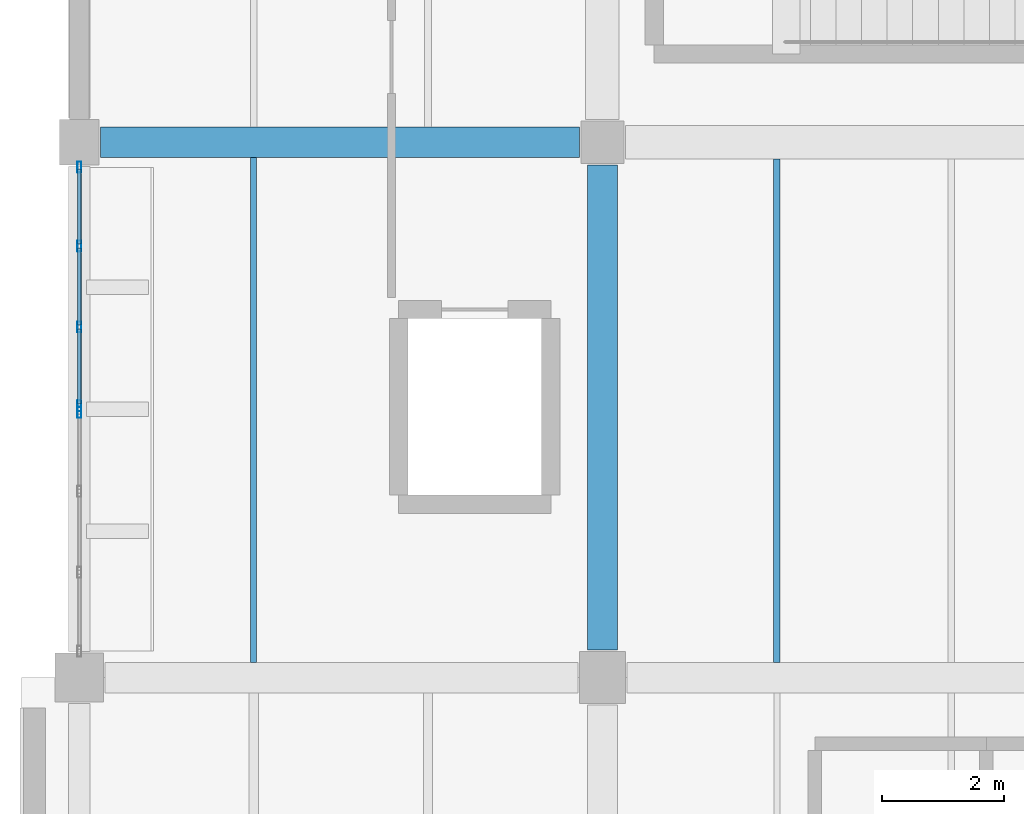
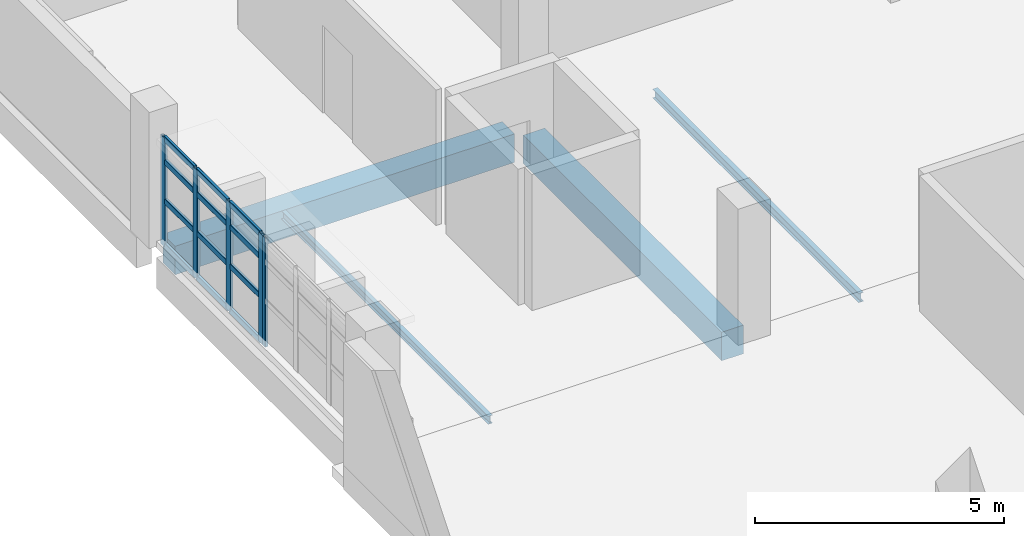
# One storey, part 12 of 75: 17 members, 4 beams, 2 elements without a shape of their own.
"""IFC4 building model written with IfcOpenShell, lengths in metres."""

from ifc_helpers import new_model, si_unit, direction, frame, origin, origin_2d, place, context, subcontext, project, spatial, rectangle, hollow_rectangle, i_section, extrude, material, material_profile, profile_set, type_object, element, aggregate, save


model = new_model("IFC4")

# Units and contexts
model_context = context("Model", 3, precision=1e-05, world=origin(), true_north=direction((0.0, 1.0)))
body_context = subcontext(model_context, "Body", "Model", "MODEL_VIEW")
ifc_project = project(units=[si_unit("LENGTHUNIT", "METRE"), si_unit("AREAUNIT", "SQUARE_METRE"), si_unit("VOLUMEUNIT", "CUBIC_METRE"), si_unit("PLANEANGLEUNIT", "RADIAN"), si_unit("MASSUNIT", "GRAM", prefix="KILO")], contexts=[model_context])

# Site, building, storey
site_placement = place(None, origin())
site = spatial("IfcSite", under=ifc_project, at=site_placement, CompositionType="ELEMENT")
building_placement = place(site_placement, origin())
building = spatial("IfcBuilding", under=site, at=building_placement, Name="Varnakota Cinema and Media Centre", CompositionType="ELEMENT")
storey_placement = place(building_placement, frame((0.0, 0.0, 8.39990234375)))
storey = spatial("IfcBuildingStorey", under=building, at=storey_placement, Name="L02", CompositionType="ELEMENT", Elevation=8.39990234375)

# Beams
ifc_material_1 = material(Name="Concrete M35", Category="concrete")
ifc_material_profile_1 = material_profile(ifc_material_1, rectangle(XDim=0.5, YDim=0.699951171875, at=origin_2d()), Name="RCB 500x700")
ifc_profile_set_1 = profile_set([ifc_material_profile_1], Name="Concrete M35")
beam_type_1 = type_object("IfcBeamType", Name="BM-RC-500x700", PredefinedType="BEAM", material=ifc_profile_set_1)
beam_1_placement = place(storey_placement, frame((0.35009765625, 44.0, -0.599853515625), z_axis=(1.0, 0.0, 0.0), x_axis=(0.0, 1.0, 0.0)))
element("IfcBeam", 1, at=beam_1_placement, inside=storey, type_object=beam_type_1, Name="L02 girder A-B/6", PredefinedType="BEAM", context=body_context, shape_type="SweptSolid", body=[
    extrude(rectangle(XDim=0.5, YDim=0.699951171875, at=origin_2d()), origin(), (0.0, 0.0, 1.0), 7.875),
])
beam_2_placement = place(storey_placement, frame((8.60009765625, 35.64990234375, -0.599853515625), z_axis=(0.0, 1.0, 0.0), x_axis=(-1.0, 0.0, 0.0)))
element("IfcBeam", 2, at=beam_2_placement, inside=storey, type_object=beam_type_1, Name="L02 girder B/5-6", PredefinedType="BEAM", context=body_context, shape_type="SweptSolid", body=[
    extrude(rectangle(XDim=0.5, YDim=0.699951171875, at=origin_2d()), origin(), (0.0, 0.0, 1.0), 7.97509765625),
])
ifc_material_2 = material(Name="Structural steel Grade 350 (E350)", Category="steel")
ifc_material_profile_2 = material_profile(ifc_material_2, i_section(OverallWidth=0.10009765625, OverallDepth=0.199951171875, WebThickness=0.005615234375, FlangeThickness=0.0107421875, FilletRadius=0.010986328125, at=origin_2d()), Name="ISMB 200")
ifc_profile_set_2 = profile_set([ifc_material_profile_2], Name="Structural steel Grade 350 (E350)")
beam_type_2 = type_object("IfcBeamType", Name="BM-ST-ISMB200", PredefinedType="JOIST", material=ifc_profile_set_2)
beam_3_placement = place(storey_placement, frame((2.86669921875, 35.449951171875, -0.349853515625), z_axis=(0.0, 1.0, 0.0), x_axis=(-1.0, 0.0, 0.0)))
element("IfcBeam", 3, at=beam_3_placement, inside=storey, type_object=beam_type_2, Name="L02 steel joist A-B/5-6 #1", PredefinedType="JOIST", context=body_context, shape_type="SweptSolid", body=[
    extrude(i_section(OverallWidth=0.10009765625, OverallDepth=0.199951171875, WebThickness=0.005615234375, FlangeThickness=0.0107421875, FilletRadius=0.010986328125, at=origin_2d()), origin(), (0.0, 0.0, 1.0), 8.300048828125),
])
ifc_material_3 = material(Name="Structural steel Grade 350 (E350)", Category="steel")
ifc_material_profile_3 = material_profile(ifc_material_3, i_section(OverallWidth=0.110107421875, OverallDepth=0.22509765625, WebThickness=0.006591796875, FlangeThickness=0.01171875, FilletRadius=0.011962890625, at=origin_2d()), Name="ISMB 225")
ifc_profile_set_3 = profile_set([ifc_material_profile_3], Name="Structural steel Grade 350 (E350)")
beam_type_3 = type_object("IfcBeamType", Name="BM-ST-ISMB225", PredefinedType="JOIST", material=ifc_profile_set_3)
beam_4_placement = place(storey_placement, frame((11.466796875, 35.449951171875, -0.3623046875), z_axis=(0.0, 1.0, 0.0), x_axis=(-1.0, 0.0, 0.0)))
element("IfcBeam", 4, at=beam_4_placement, inside=storey, type_object=beam_type_3, Name="L02 steel joist B-C/5-6 #1", PredefinedType="JOIST", context=body_context, shape_type="SweptSolid", body=[
    extrude(i_section(OverallWidth=0.110107421875, OverallDepth=0.22509765625, WebThickness=0.006591796875, FlangeThickness=0.01171875, FilletRadius=0.011962890625, at=origin_2d()), origin(), (0.0, 0.0, 1.0), 8.275146484375),
])

# Curtain wall, members
ifc_material_4 = material(Name="Thermally broken anodised aluminium AW-6063", Category="aluminium")
curtain_wall_type = type_object("IfcCurtainWallType", Name="CW-STD-399x268", PredefinedType="USERDEFINED", material=ifc_material_4)
curtain_wall_1_placement = place(storey_placement, origin())
curtain_wall_1 = element("IfcCurtainWall", 5, at=curtain_wall_1_placement, inside=storey, type_object=curtain_wall_type, Name="L02 curtain wall CW-L02-V5-W-05-1", ObjectType="UNITISED CURTAIN WALL", PredefinedType="USERDEFINED")
ifc_material_5 = material(Name="Thermally broken anodised aluminium AW-6063", Category="aluminium")
ifc_material_profile_4 = material_profile(ifc_material_5, hollow_rectangle(XDim=0.06494140625, YDim=0.179931640625, WallThickness=0.00390625, InnerFilletRadius=0.00390625, OuterFilletRadius=0.008056640625, at=origin_2d()), Name="AL-MULLION 180x65x4")
ifc_profile_set_4 = profile_set([ifc_material_profile_4], Name="Thermally broken anodised aluminium AW-6063")
member_type_1 = type_object("IfcMemberType", Name="CWM-AL-180", PredefinedType="MULLION", material=ifc_profile_set_4)
member_1_placement = place(storey_placement, frame((0.0, 43.592529296875, 0.0), z_axis=(0.0, 0.0, 1.0), x_axis=(1.0, 0.0, 0.0)))
member_1 = element("IfcMember", 6, at=member_1_placement, type_object=member_type_1, Name="CW40 mullion 1", PredefinedType="MULLION", context=body_context, shape_type="SweptSolid", body=[
    extrude(hollow_rectangle(XDim=0.06494140625, YDim=0.179931640625, WallThickness=0.00390625, InnerFilletRadius=0.00390625, OuterFilletRadius=0.008056640625, at=origin_2d()), origin(), (0.0, 0.0, 1.0), 2.675048828125),
])
member_2_placement = place(storey_placement, frame((0.0, 42.294189453125, 0.0), z_axis=(0.0, 0.0, 1.0), x_axis=(1.0, 0.0, 0.0)))
member_2 = element("IfcMember", 7, at=member_2_placement, type_object=member_type_1, Name="CW40 mullion 2", PredefinedType="MULLION", context=body_context, shape_type="SweptSolid", body=[
    extrude(hollow_rectangle(XDim=0.06494140625, YDim=0.179931640625, WallThickness=0.00390625, InnerFilletRadius=0.00390625, OuterFilletRadius=0.008056640625, at=origin_2d()), origin(), (0.0, 0.0, 1.0), 2.675048828125),
])
member_3_placement = place(storey_placement, frame((0.0, 40.96337890625, 0.0), z_axis=(0.0, 0.0, 1.0), x_axis=(1.0, 0.0, 0.0)))
member_3 = element("IfcMember", 8, at=member_3_placement, type_object=member_type_1, Name="CW40 mullion 3", PredefinedType="MULLION", context=body_context, shape_type="SweptSolid", body=[
    extrude(hollow_rectangle(XDim=0.06494140625, YDim=0.179931640625, WallThickness=0.00390625, InnerFilletRadius=0.00390625, OuterFilletRadius=0.008056640625, at=origin_2d()), origin(), (0.0, 0.0, 1.0), 2.675048828125),
])
member_4_placement = place(storey_placement, frame((0.0, 39.6650390625, 0.0), z_axis=(0.0, 0.0, 1.0), x_axis=(1.0, 0.0, 0.0)))
member_4 = element("IfcMember", 9, at=member_4_placement, type_object=member_type_1, Name="CW40 mullion 4", PredefinedType="MULLION", context=body_context, shape_type="SweptSolid", body=[
    extrude(hollow_rectangle(XDim=0.06494140625, YDim=0.179931640625, WallThickness=0.00390625, InnerFilletRadius=0.00390625, OuterFilletRadius=0.008056640625, at=origin_2d()), origin(), (0.0, 0.0, 1.0), 2.675048828125),
])

# Curtain wall, member
curtain_wall_2_placement = place(storey_placement, origin())
curtain_wall_2 = element("IfcCurtainWall", 10, at=curtain_wall_2_placement, inside=storey, type_object=curtain_wall_type, Name="L02 curtain wall CW-L02-V5-W-05-2", ObjectType="UNITISED CURTAIN WALL", PredefinedType="USERDEFINED")
member_5_placement = place(storey_placement, frame((0.0, 39.56005859375, 0.0), z_axis=(0.0, 0.0, 1.0), x_axis=(1.0, 0.0, 0.0)))
member_5 = element("IfcMember", 11, at=member_5_placement, type_object=member_type_1, Name="CW40 mullion 1", PredefinedType="MULLION", context=body_context, shape_type="SweptSolid", body=[
    extrude(hollow_rectangle(XDim=0.06494140625, YDim=0.179931640625, WallThickness=0.00390625, InnerFilletRadius=0.00390625, OuterFilletRadius=0.008056640625, at=origin_2d()), origin(), (0.0, 0.0, 1.0), 2.675048828125),
])
aggregate(curtain_wall_2, [member_5])

# Member
ifc_material_6 = material(Name="Thermally broken anodised aluminium AW-6063", Category="aluminium")
ifc_material_profile_5 = material_profile(ifc_material_6, hollow_rectangle(XDim=0.06494140625, YDim=0.139892578125, WallThickness=0.00390625, InnerFilletRadius=0.00390625, OuterFilletRadius=0.008056640625, at=origin_2d()), Name="AL-TRANSOM 140x65x4")
ifc_profile_set_5 = profile_set([ifc_material_profile_5], Name="Thermally broken anodised aluminium AW-6063")
member_type_2 = type_object("IfcMemberType", Name="CWT-AL-140", PredefinedType="USERDEFINED", material=ifc_profile_set_5)
member_6_placement = place(storey_placement, frame((0.0, 43.56005859375, 0.03271484375), z_axis=(0.0, -1.0, 0.0), x_axis=(1.0, 0.0, 0.0)))
member_6 = element("IfcMember", 12, at=member_6_placement, type_object=member_type_2, Name="CW40 transom 1.1", ObjectType="TRANSOM", PredefinedType="USERDEFINED", context=body_context, shape_type="SweptSolid", body=[
    extrude(hollow_rectangle(XDim=0.06494140625, YDim=0.139892578125, WallThickness=0.00390625, InnerFilletRadius=0.00390625, OuterFilletRadius=0.008056640625, at=origin_2d()), origin(), (0.0, 0.0, 1.0), 1.2333984375),
])

member_7_placement = place(storey_placement, frame((0.0, 43.56005859375, 1.12353515625), z_axis=(0.0, -1.0, 0.0), x_axis=(1.0, 0.0, 0.0)))
member_7 = element("IfcMember", 13, at=member_7_placement, type_object=member_type_2, Name="CW40 transom 1.2", ObjectType="TRANSOM", PredefinedType="USERDEFINED", context=body_context, shape_type="SweptSolid", body=[
    extrude(hollow_rectangle(XDim=0.06494140625, YDim=0.139892578125, WallThickness=0.00390625, InnerFilletRadius=0.00390625, OuterFilletRadius=0.008056640625, at=origin_2d()), origin(), (0.0, 0.0, 1.0), 1.2333984375),
])

member_8_placement = place(storey_placement, frame((0.0, 43.56005859375, 2.086669921875), z_axis=(0.0, -1.0, 0.0), x_axis=(1.0, 0.0, 0.0)))
member_8 = element("IfcMember", 14, at=member_8_placement, type_object=member_type_2, Name="CW40 transom 1.3", ObjectType="TRANSOM", PredefinedType="USERDEFINED", context=body_context, shape_type="SweptSolid", body=[
    extrude(hollow_rectangle(XDim=0.06494140625, YDim=0.139892578125, WallThickness=0.00390625, InnerFilletRadius=0.00390625, OuterFilletRadius=0.008056640625, at=origin_2d()), origin(), (0.0, 0.0, 1.0), 1.2333984375),
])

member_9_placement = place(storey_placement, frame((0.0, 43.56005859375, 2.642578125), z_axis=(0.0, -1.0, 0.0), x_axis=(1.0, 0.0, 0.0)))
member_9 = element("IfcMember", 15, at=member_9_placement, type_object=member_type_2, Name="CW40 transom 1.4", ObjectType="TRANSOM", PredefinedType="USERDEFINED", context=body_context, shape_type="SweptSolid", body=[
    extrude(hollow_rectangle(XDim=0.06494140625, YDim=0.139892578125, WallThickness=0.00390625, InnerFilletRadius=0.00390625, OuterFilletRadius=0.008056640625, at=origin_2d()), origin(), (0.0, 0.0, 1.0), 1.2333984375),
])

member_10_placement = place(storey_placement, frame((0.0, 42.26171875, 0.03271484375), z_axis=(0.0, -1.0, 0.0), x_axis=(1.0, 0.0, 0.0)))
member_10 = element("IfcMember", 16, at=member_10_placement, type_object=member_type_2, Name="CW40 transom 2.1", ObjectType="TRANSOM", PredefinedType="USERDEFINED", context=body_context, shape_type="SweptSolid", body=[
    extrude(hollow_rectangle(XDim=0.06494140625, YDim=0.139892578125, WallThickness=0.00390625, InnerFilletRadius=0.00390625, OuterFilletRadius=0.008056640625, at=origin_2d()), origin(), (0.0, 0.0, 1.0), 1.265869140625),
])

member_11_placement = place(storey_placement, frame((0.0, 42.26171875, 1.12353515625), z_axis=(0.0, -1.0, 0.0), x_axis=(1.0, 0.0, 0.0)))
member_11 = element("IfcMember", 17, at=member_11_placement, type_object=member_type_2, Name="CW40 transom 2.2", ObjectType="TRANSOM", PredefinedType="USERDEFINED", context=body_context, shape_type="SweptSolid", body=[
    extrude(hollow_rectangle(XDim=0.06494140625, YDim=0.139892578125, WallThickness=0.00390625, InnerFilletRadius=0.00390625, OuterFilletRadius=0.008056640625, at=origin_2d()), origin(), (0.0, 0.0, 1.0), 1.265869140625),
])

member_12_placement = place(storey_placement, frame((0.0, 42.26171875, 2.086669921875), z_axis=(0.0, -1.0, 0.0), x_axis=(1.0, 0.0, 0.0)))
member_12 = element("IfcMember", 18, at=member_12_placement, type_object=member_type_2, Name="CW40 transom 2.3", ObjectType="TRANSOM", PredefinedType="USERDEFINED", context=body_context, shape_type="SweptSolid", body=[
    extrude(hollow_rectangle(XDim=0.06494140625, YDim=0.139892578125, WallThickness=0.00390625, InnerFilletRadius=0.00390625, OuterFilletRadius=0.008056640625, at=origin_2d()), origin(), (0.0, 0.0, 1.0), 1.265869140625),
])

member_13_placement = place(storey_placement, frame((0.0, 42.26171875, 2.642578125), z_axis=(0.0, -1.0, 0.0), x_axis=(1.0, 0.0, 0.0)))
member_13 = element("IfcMember", 19, at=member_13_placement, type_object=member_type_2, Name="CW40 transom 2.4", ObjectType="TRANSOM", PredefinedType="USERDEFINED", context=body_context, shape_type="SweptSolid", body=[
    extrude(hollow_rectangle(XDim=0.06494140625, YDim=0.139892578125, WallThickness=0.00390625, InnerFilletRadius=0.00390625, OuterFilletRadius=0.008056640625, at=origin_2d()), origin(), (0.0, 0.0, 1.0), 1.265869140625),
])

member_14_placement = place(storey_placement, frame((0.0, 40.930908203125, 0.03271484375), z_axis=(0.0, -1.0, 0.0), x_axis=(1.0, 0.0, 0.0)))
member_14 = element("IfcMember", 20, at=member_14_placement, type_object=member_type_2, Name="CW40 transom 3.1", ObjectType="TRANSOM", PredefinedType="USERDEFINED", context=body_context, shape_type="SweptSolid", body=[
    extrude(hollow_rectangle(XDim=0.06494140625, YDim=0.139892578125, WallThickness=0.00390625, InnerFilletRadius=0.00390625, OuterFilletRadius=0.008056640625, at=origin_2d()), origin(), (0.0, 0.0, 1.0), 1.2333984375),
])

member_15_placement = place(storey_placement, frame((0.0, 40.930908203125, 1.12353515625), z_axis=(0.0, -1.0, 0.0), x_axis=(1.0, 0.0, 0.0)))
member_15 = element("IfcMember", 21, at=member_15_placement, type_object=member_type_2, Name="CW40 transom 3.2", ObjectType="TRANSOM", PredefinedType="USERDEFINED", context=body_context, shape_type="SweptSolid", body=[
    extrude(hollow_rectangle(XDim=0.06494140625, YDim=0.139892578125, WallThickness=0.00390625, InnerFilletRadius=0.00390625, OuterFilletRadius=0.008056640625, at=origin_2d()), origin(), (0.0, 0.0, 1.0), 1.2333984375),
])

member_16_placement = place(storey_placement, frame((0.0, 40.930908203125, 2.086669921875), z_axis=(0.0, -1.0, 0.0), x_axis=(1.0, 0.0, 0.0)))
member_16 = element("IfcMember", 22, at=member_16_placement, type_object=member_type_2, Name="CW40 transom 3.3", ObjectType="TRANSOM", PredefinedType="USERDEFINED", context=body_context, shape_type="SweptSolid", body=[
    extrude(hollow_rectangle(XDim=0.06494140625, YDim=0.139892578125, WallThickness=0.00390625, InnerFilletRadius=0.00390625, OuterFilletRadius=0.008056640625, at=origin_2d()), origin(), (0.0, 0.0, 1.0), 1.2333984375),
])

member_17_placement = place(storey_placement, frame((0.0, 40.930908203125, 2.642578125), z_axis=(0.0, -1.0, 0.0), x_axis=(1.0, 0.0, 0.0)))
member_17 = element("IfcMember", 23, at=member_17_placement, type_object=member_type_2, Name="CW40 transom 3.4", ObjectType="TRANSOM", PredefinedType="USERDEFINED", context=body_context, shape_type="SweptSolid", body=[
    extrude(hollow_rectangle(XDim=0.06494140625, YDim=0.139892578125, WallThickness=0.00390625, InnerFilletRadius=0.00390625, OuterFilletRadius=0.008056640625, at=origin_2d()), origin(), (0.0, 0.0, 1.0), 1.2333984375),
])

aggregate(curtain_wall_1, [member_1, member_2, member_3, member_4, member_6, member_7, member_8, member_9, member_10, member_11, member_12, member_13, member_14, member_15, member_16, member_17])

save(model, "model.ifc")
